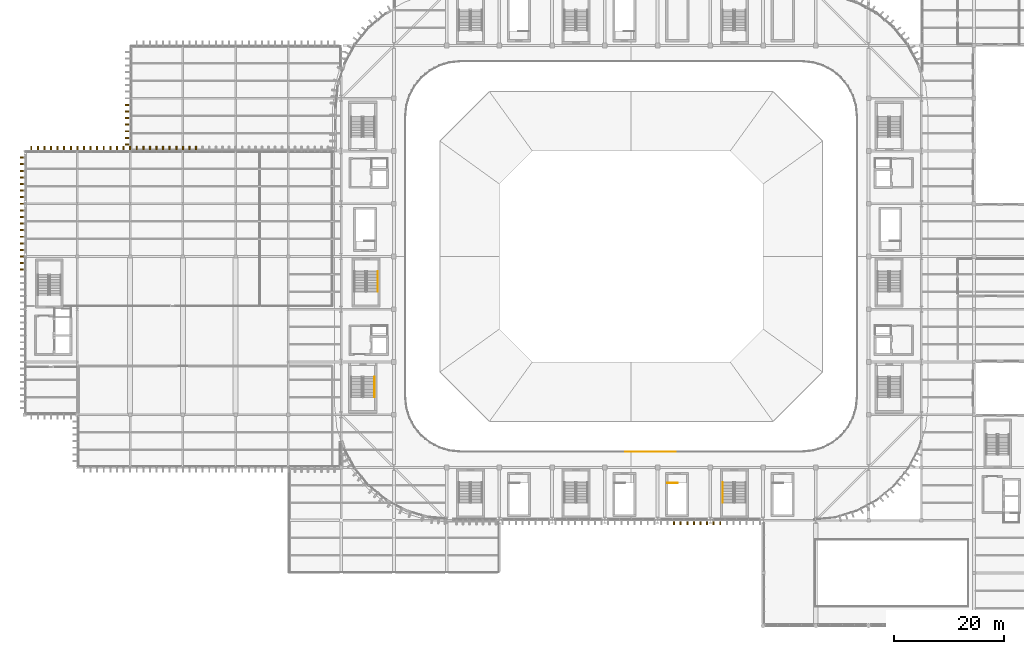
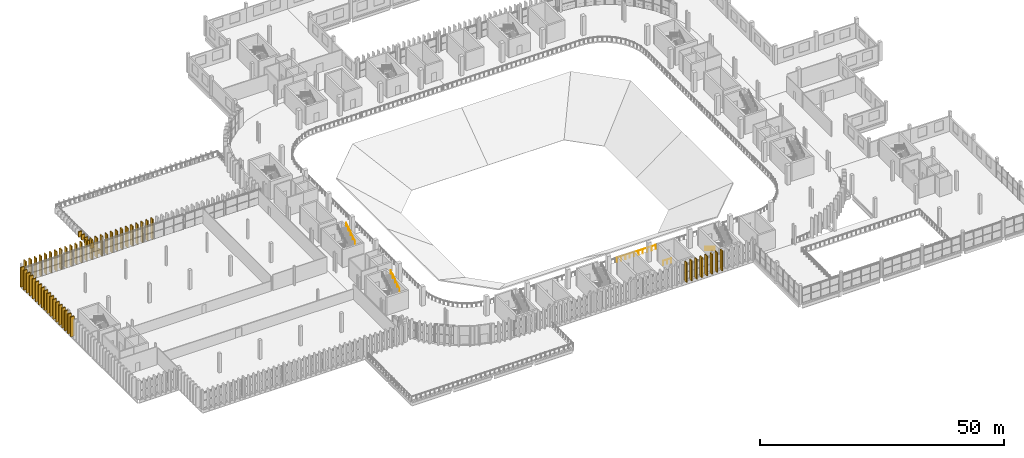
# One storey, part 83 of 99: 59 coverings, 5 railings.
"""IFC4 building model written with IfcOpenShell, lengths in metres."""

from ifc_helpers import new_model, si_unit, direction, frame, origin, origin_2d, place, context, subcontext, project, spatial, rectangle, circle, extrude, material, material_profile, profile_set, type_object, element, save


model = new_model("IFC4")

# Units and contexts
model_context = context("Model", 3, precision=1e-05, world=origin(), true_north=direction((0.0, 1.0)))
body_context = subcontext(model_context, "Body", "Model", "MODEL_VIEW")
ifc_project = project(units=[si_unit("LENGTHUNIT", "METRE"), si_unit("AREAUNIT", "SQUARE_METRE"), si_unit("VOLUMEUNIT", "CUBIC_METRE"), si_unit("PLANEANGLEUNIT", "RADIAN"), si_unit("MASSUNIT", "GRAM", prefix="KILO")], contexts=[model_context])

# Site, building, storey
site_placement = place(None, origin())
site = spatial("IfcSite", under=ifc_project, at=site_placement, CompositionType="ELEMENT")
building_placement = place(site_placement, origin())
building = spatial("IfcBuilding", under=site, at=building_placement, Name="Caelomonte Colonnade Arena", CompositionType="ELEMENT")
storey_placement = place(building_placement, frame((0.0, 0.0, 4.800048828125)))
storey = spatial("IfcBuildingStorey", under=building, at=storey_placement, Name="L01", CompositionType="ELEMENT", Elevation=4.800048828125)

# Coverings
ifc_material_1 = material(Name="Precast travertine cladding", Category="masonry")
ifc_material_profile = material_profile(ifc_material_1, rectangle(XDim=0.260009765625, YDim=0.85009765625, at=origin_2d()), Name="FIN260X850")
ifc_profile_set = profile_set([ifc_material_profile], Name="Precast travertine cladding")
covering_type = type_object("IfcCoveringType", Name="ENV-FN-SHAFT", PredefinedType="CLADDING", material=ifc_profile_set)
for number, where, z_axis, x_axis, name in (
    (1, (118.199951171875, 18.779052734375, -0.16015625), (0.0, 0.0, 1.0), (-1.0, 0.0, 0.0), "V1 L01 classical travertine vertical fin 272"),
    (2, (119.39990234375, 18.779052734375, -0.16015625), (0.0, 0.0, 1.0), (-1.0, 0.0, 0.0), "V1 L01 classical travertine vertical fin 273"),
    (3, (120.60009765625, 18.779052734375, -0.16015625), (0.0, 0.0, 1.0), (-1.0, 0.0, 0.0), "V1 L01 classical travertine vertical fin 274"),
    (4, (121.800048828125, 18.779052734375, -0.16015625), (0.0, 0.0, 1.0), (-1.0, 0.0, 0.0), "V1 L01 classical travertine vertical fin 275"),
    (5, (123.0, 18.779052734375, -0.16015625), (0.0, 0.0, 1.0), (-1.0, 0.0, 0.0), "V1 L01 classical travertine vertical fin 276"),
    (6, (124.199951171875, 18.779052734375, -0.16015625), (0.0, 0.0, 1.0), (-1.0, 0.0, 0.0), "V1 L01 classical travertine vertical fin 277"),
    (7, (125.39990234375, 18.779052734375, -0.16015625), (0.0, 0.0, 1.0), (-1.0, 0.0, 0.0), "V1 L01 classical travertine vertical fin 278"),
    (8, (126.60009765625, 18.779052734375, -0.16015625), (0.0, 0.0, 1.0), (-1.0, 0.0, 0.0), "V1 L01 classical travertine vertical fin 279"),
    (9, (-0.4208984375, 85.199951171875, -0.16015625), (0.0, 0.0, 1.0), (0.0, 1.0, 0.0), "V5 L01 classical travertine vertical fin 1"),
    (10, (-0.4208984375, 84.0, -0.16015625), (0.0, 0.0, 1.0), (0.0, 1.0, 0.0), "V5 L01 classical travertine vertical fin 2"),
    (11, (-0.4208984375, 82.800048828125, -0.16015625), (0.0, 0.0, 1.0), (0.0, 1.0, 0.0), "V5 L01 classical travertine vertical fin 3"),
    (12, (-0.4208984375, 81.60009765625, -0.16015625), (0.0, 0.0, 1.0), (0.0, 1.0, 0.0), "V5 L01 classical travertine vertical fin 4"),
    (13, (-0.4208984375, 80.39990234375, -0.16015625), (0.0, 0.0, 1.0), (0.0, 1.0, 0.0), "V5 L01 classical travertine vertical fin 5"),
    (14, (-0.4208984375, 79.199951171875, -0.16015625), (0.0, 0.0, 1.0), (0.0, 1.0, 0.0), "V5 L01 classical travertine vertical fin 6"),
    (15, (-0.4208984375, 78.0, -0.16015625), (0.0, 0.0, 1.0), (0.0, 1.0, 0.0), "V5 L01 classical travertine vertical fin 7"),
    (16, (-0.4208984375, 76.800048828125, -0.16015625), (0.0, 0.0, 1.0), (0.0, 1.0, 0.0), "V5 L01 classical travertine vertical fin 8"),
    (17, (-0.4208984375, 75.60009765625, -0.16015625), (0.0, 0.0, 1.0), (0.0, 1.0, 0.0), "V5 L01 classical travertine vertical fin 9"),
    (18, (-0.4208984375, 74.39990234375, -0.16015625), (0.0, 0.0, 1.0), (0.0, 1.0, 0.0), "V5 L01 classical travertine vertical fin 10"),
    (19, (-0.4208984375, 73.199951171875, -0.16015625), (0.0, 0.0, 1.0), (0.0, 1.0, 0.0), "V5 L01 classical travertine vertical fin 11"),
    (20, (-0.4208984375, 72.0, -0.16015625), (0.0, 0.0, 1.0), (0.0, 1.0, 0.0), "V5 L01 classical travertine vertical fin 12"),
    (21, (-0.4208984375, 70.800048828125, -0.16015625), (0.0, 0.0, 1.0), (0.0, 1.0, 0.0), "V5 L01 classical travertine vertical fin 13"),
    (22, (-0.4208984375, 69.60009765625, -0.16015625), (0.0, 0.0, 1.0), (0.0, 1.0, 0.0), "V5 L01 classical travertine vertical fin 14"),
    (23, (-0.4208984375, 68.39990234375, -0.16015625), (0.0, 0.0, 1.0), (0.0, 1.0, 0.0), "V5 L01 classical travertine vertical fin 15"),
    (24, (-0.4208984375, 67.199951171875, -0.16015625), (0.0, 0.0, 1.0), (0.0, 1.0, 0.0), "V5 L01 classical travertine vertical fin 16"),
    (25, (-0.4208984375, 66.0, -0.16015625), (0.0, 0.0, 1.0), (0.0, 1.0, 0.0), "V5 L01 classical travertine vertical fin 17"),
    (26, (-0.4208984375, 64.800048828125, -0.16015625), (0.0, 0.0, 1.0), (0.0, 1.0, 0.0), "V5 L01 classical travertine vertical fin 18"),
    (27, (31.199951171875, 86.821044921875, -0.16015625), (0.0, 0.0, 1.0), (1.0, 0.0, 0.0), "V5 L01 classical travertine vertical fin 116"),
    (28, (30.0, 86.821044921875, -0.16015625), (0.0, 0.0, 1.0), (1.0, 0.0, 0.0), "V5 L01 classical travertine vertical fin 117"),
    (29, (28.800048828125, 86.821044921875, -0.16015625), (0.0, 0.0, 1.0), (1.0, 0.0, 0.0), "V5 L01 classical travertine vertical fin 118"),
    (30, (27.60009765625, 86.821044921875, -0.16015625), (0.0, 0.0, 1.0), (1.0, 0.0, 0.0), "V5 L01 classical travertine vertical fin 119"),
    (31, (26.39990234375, 86.821044921875, -0.16015625), (0.0, 0.0, 1.0), (1.0, 0.0, 0.0), "V5 L01 classical travertine vertical fin 120"),
    (32, (25.199951171875, 86.821044921875, -0.16015625), (0.0, 0.0, 1.0), (1.0, 0.0, 0.0), "V5 L01 classical travertine vertical fin 121"),
    (33, (24.0, 86.821044921875, -0.16015625), (0.0, 0.0, 1.0), (1.0, 0.0, 0.0), "V5 L01 classical travertine vertical fin 122"),
    (34, (22.800048828125, 86.821044921875, -0.16015625), (0.0, 0.0, 1.0), (1.0, 0.0, 0.0), "V5 L01 classical travertine vertical fin 123"),
    (35, (21.60009765625, 86.821044921875, -0.16015625), (0.0, 0.0, 1.0), (1.0, 0.0, 0.0), "V5 L01 classical travertine vertical fin 124"),
    (36, (20.39990234375, 86.821044921875, -0.16015625), (0.0, 0.0, 1.0), (1.0, 0.0, 0.0), "V5 L01 classical travertine vertical fin 125"),
    (37, (19.199951171875, 86.821044921875, -0.16015625), (0.0, 0.0, 1.0), (1.0, 0.0, 0.0), "V5 L01 classical travertine vertical fin 126"),
    (38, (18.0, 86.821044921875, -0.16015625), (0.0, 0.0, 1.0), (1.0, 0.0, 0.0), "V5 L01 classical travertine vertical fin 127"),
    (39, (16.800048828125, 86.821044921875, -0.16015625), (0.0, 0.0, 1.0), (1.0, 0.0, 0.0), "V5 L01 classical travertine vertical fin 128"),
    (40, (15.60009765625, 86.821044921875, -0.16015625), (0.0, 0.0, 1.0), (1.0, 0.0, 0.0), "V5 L01 classical travertine vertical fin 129"),
    (41, (14.39990234375, 86.821044921875, -0.16015625), (0.0, 0.0, 1.0), (1.0, 0.0, 0.0), "V5 L01 classical travertine vertical fin 130"),
    (42, (13.199951171875, 86.821044921875, -0.16015625), (0.0, 0.0, 1.0), (1.0, 0.0, 0.0), "V5 L01 classical travertine vertical fin 131"),
    (43, (12.0, 86.821044921875, -0.16015625), (0.0, 0.0, 1.0), (1.0, 0.0, 0.0), "V5 L01 classical travertine vertical fin 132"),
    (44, (10.800048828125, 86.821044921875, -0.16015625), (0.0, 0.0, 1.0), (1.0, 0.0, 0.0), "V5 L01 classical travertine vertical fin 133"),
    (45, (9.60009765625, 86.821044921875, -0.16015625), (0.0, 0.0, 1.0), (1.0, 0.0, 0.0), "V5 L01 classical travertine vertical fin 134"),
    (46, (8.39990234375, 86.821044921875, -0.16015625), (0.0, 0.0, 1.0), (1.0, 0.0, 0.0), "V5 L01 classical travertine vertical fin 135"),
    (47, (7.199951171875, 86.821044921875, -0.16015625), (0.0, 0.0, 1.0), (1.0, 0.0, 0.0), "V5 L01 classical travertine vertical fin 136"),
    (48, (6.0, 86.821044921875, -0.16015625), (0.0, 0.0, 1.0), (1.0, 0.0, 0.0), "V5 L01 classical travertine vertical fin 137"),
    (49, (4.800048828125, 86.821044921875, -0.16015625), (0.0, 0.0, 1.0), (1.0, 0.0, 0.0), "V5 L01 classical travertine vertical fin 138"),
    (50, (3.60009765625, 86.821044921875, -0.16015625), (0.0, 0.0, 1.0), (1.0, 0.0, 0.0), "V5 L01 classical travertine vertical fin 139"),
    (51, (2.39990234375, 86.821044921875, -0.16015625), (0.0, 0.0, 1.0), (1.0, 0.0, 0.0), "V5 L01 classical travertine vertical fin 140"),
    (52, (1.199951171875, 86.821044921875, -0.16015625), (0.0, 0.0, 1.0), (1.0, 0.0, 0.0), "V5 L01 classical travertine vertical fin 141"),
):
    element("IfcCovering", number, at=place(storey_placement, frame(where, z_axis=z_axis, x_axis=x_axis)), inside=storey, type_object=covering_type, Name=name, PredefinedType="CLADDING", context=body_context, shape_type="SweptSolid", body=[
        extrude(rectangle(XDim=0.260009765625, YDim=0.85009765625, at=origin_2d()), origin(), (0.0, 0.0, 1.0), 4.960205078125),
    ])
for number, where, z_axis, x_axis, name in (
    (53, (18.779052734375, 94.800048828125, -0.16015625), (0.0, 0.0, 1.0), (0.0, 1.0, 0.0), "V5D L01 classical travertine vertical fin 43"),
    (54, (18.779052734375, 93.60009765625, -0.16015625), (0.0, 0.0, 1.0), (0.0, 1.0, 0.0), "V5D L01 classical travertine vertical fin 44"),
    (55, (18.779052734375, 92.39990234375, -0.16015625), (0.0, 0.0, 1.0), (0.0, 1.0, 0.0), "V5D L01 classical travertine vertical fin 45"),
    (56, (18.779052734375, 91.199951171875, -0.16015625), (0.0, 0.0, 1.0), (0.0, 1.0, 0.0), "V5D L01 classical travertine vertical fin 46"),
    (57, (18.779052734375, 90.0, -0.16015625), (0.0, 0.0, 1.0), (0.0, 1.0, 0.0), "V5D L01 classical travertine vertical fin 47"),
    (58, (18.779052734375, 88.800048828125, -0.16015625), (0.0, 0.0, 1.0), (0.0, 1.0, 0.0), "V5D L01 classical travertine vertical fin 48"),
    (59, (18.779052734375, 87.60009765625, -0.16015625), (0.0, 0.0, 1.0), (0.0, 1.0, 0.0), "V5D L01 classical travertine vertical fin 49"),
):
    element("IfcCovering", number, at=place(storey_placement, frame(where, z_axis=z_axis, x_axis=x_axis)), inside=storey, type_object=covering_type, Name=name, PredefinedType="CLADDING", context=body_context, shape_type="SweptSolid", body=[
        extrude(rectangle(XDim=0.260009765625, YDim=0.85009765625, at=origin_2d()), origin(), (0.0, 0.0, 1.0), 1.31005859375),
    ])

# Railings
ifc_material_2 = material(Name="Painted galvanized steel handrail and posts", Category="steel")
railing_type_1 = type_object("IfcRailingType", Name="ENV-RL-GRD1", PredefinedType="GUARDRAIL", material=ifc_material_2)
railing_1_placement = place(storey_placement, frame((109.306884765625, 31.679931640625, 0.0)))
element("IfcRailing", 60, at=railing_1_placement, inside=storey, type_object=railing_type_1, Name="L01 lower concourse bowl guard 5", PredefinedType="GUARDRAIL", context=body_context, shape_type="SweptSolid", body=[
    extrude(circle(Radius=0.02392578125, at=origin_2d()), frame((0.0, 0.0, 1.076171875), z_axis=(1.0, 0.0, 0.0), x_axis=(0.0, 1.0, 0.0)), (0.0, 0.0, 1.0), 9.186279296875),
    extrude(circle(Radius=0.02099609375, at=origin_2d()), origin(), (0.0, 0.0, 1.0), 1.048095703125),
    extrude(circle(Radius=0.02099609375, at=origin_2d()), frame((1.020751953125, 0.0, 0.0)), (0.0, 0.0, 1.0), 1.048095703125),
    extrude(circle(Radius=0.02099609375, at=origin_2d()), frame((2.04150390625, 0.0, 0.0)), (0.0, 0.0, 1.0), 1.048095703125),
    extrude(circle(Radius=0.02099609375, at=origin_2d()), frame((3.06201171875, 0.0, 0.0)), (0.0, 0.0, 1.0), 1.048095703125),
    extrude(circle(Radius=0.02099609375, at=origin_2d()), frame((4.082763671875, 0.0, 0.0)), (0.0, 0.0, 1.0), 1.048095703125),
    extrude(circle(Radius=0.02099609375, at=origin_2d()), frame((5.103515625, 0.0, 0.0)), (0.0, 0.0, 1.0), 1.048095703125),
    extrude(circle(Radius=0.02099609375, at=origin_2d()), frame((6.124267578125, 0.0, 0.0)), (0.0, 0.0, 1.0), 1.048095703125),
    extrude(circle(Radius=0.02099609375, at=origin_2d()), frame((7.144775390625, 0.0, 0.0)), (0.0, 0.0, 1.0), 1.048095703125),
    extrude(circle(Radius=0.02099609375, at=origin_2d()), frame((8.16552734375, 0.0, 0.0)), (0.0, 0.0, 1.0), 1.048095703125),
    extrude(circle(Radius=0.02099609375, at=origin_2d()), frame((9.186279296875, 0.0, 0.0)), (0.0, 0.0, 1.0), 1.048095703125),
])
ifc_material_3 = material(Name="Painted galvanized steel stair guard", Category="steel")
railing_type_2 = type_object("IfcRailingType", Name="INT-RL-GRD", PredefinedType="GUARDRAIL", material=ifc_material_3)
railing_2_placement = place(storey_placement, frame((117.0, 26.0, 0.0)))
element("IfcRailing", 61, at=railing_2_placement, inside=storey, type_object=railing_type_2, Name="L01 ST-V03 top well guard 1", PredefinedType="GUARDRAIL", context=body_context, shape_type="SweptSolid", body=[
    extrude(circle(Radius=0.02392578125, at=origin_2d()), frame((0.0, 0.0, 1.076171875), z_axis=(1.0, 0.0, 0.0), x_axis=(0.0, 1.0, 0.0)), (0.0, 0.0, 1.0), 1.85009765625),
    extrude(circle(Radius=0.02099609375, at=origin_2d()), origin(), (0.0, 0.0, 1.0), 1.048095703125),
    extrude(circle(Radius=0.02099609375, at=origin_2d()), frame((0.925048828125, 0.0, 0.0)), (0.0, 0.0, 1.0), 1.048095703125),
    extrude(circle(Radius=0.02099609375, at=origin_2d()), frame((1.85009765625, 0.0, 0.0)), (0.0, 0.0, 1.0), 1.048095703125),
])
ifc_material_4 = material(Name="Brushed stainless steel stair handrail", Category="steel")
railing_type_3 = type_object("IfcRailingType", Name="INT-RL-HR", PredefinedType="HANDRAIL", material=ifc_material_4)
for number, where, name in (
    (62, (63.64990234375, 41.594970703125, 2.5712890625), "L01 ST-01 stair handrail 2"),
    (63, (64.25, 60.794921875, 2.5712890625), "L01 ST-09 stair handrail 2"),
):
    element("IfcRailing", number, at=place(storey_placement, frame(where)), inside=storey, type_object=railing_type_3, Name=name, PredefinedType="HANDRAIL", context=body_context, shape_type="SweptSolid", body=[
        extrude(circle(Radius=0.02392578125, at=origin_2d()), frame((0.0, 0.0, 0.8759765625), z_axis=(0.0, 0.856909459561, 0.515466951525), x_axis=(-1.0, 0.0, 0.0)), (0.0, 0.0, 1.0), 4.32373046875),
        extrude(circle(Radius=0.02099609375, at=origin_2d()), origin(), (0.0, 0.0, 1.0), 0.847900390625),
        extrude(circle(Radius=0.02099609375, at=origin_2d()), frame((0.0, 0.92626953125, 0.55712890625)), (0.0, 0.0, 1.0), 0.847900390625),
        extrude(circle(Radius=0.02099609375, at=origin_2d()), frame((0.0, 1.8525390625, 1.1142578125)), (0.0, 0.0, 1.0), 0.847900390625),
        extrude(circle(Radius=0.02099609375, at=origin_2d()), frame((0.0, 2.77880859375, 1.671630859375)), (0.0, 0.0, 1.0), 0.847900390625),
        extrude(circle(Radius=0.02099609375, at=origin_2d()), frame((0.0, 3.705078125, 2.228759765625)), (0.0, 0.0, 1.0), 0.847900390625),
    ])
railing_3_placement = place(storey_placement, frame((127.050048828125, 26.10009765625, 0.17138671875)))
element("IfcRailing", 64, at=railing_3_placement, inside=storey, type_object=railing_type_3, Name="L01 ST-13 stair handrail 1", PredefinedType="HANDRAIL", context=body_context, shape_type="SweptSolid", body=[
    extrude(circle(Radius=0.02392578125, at=origin_2d()), frame((0.0, 0.0, 0.8759765625), z_axis=(0.0, -0.856934400257, 0.515425487977), x_axis=(1.0, 0.0, 0.0)), (0.0, 0.0, 1.0), 4.32373046875),
    extrude(circle(Radius=0.02099609375, at=origin_2d()), origin(), (0.0, 0.0, 1.0), 0.847900390625),
    extrude(circle(Radius=0.02099609375, at=origin_2d()), frame((0.0, -0.92626953125, 0.55712890625)), (0.0, 0.0, 1.0), 0.847900390625),
    extrude(circle(Radius=0.02099609375, at=origin_2d()), frame((0.0, -1.8525390625, 1.1142578125)), (0.0, 0.0, 1.0), 0.847900390625),
    extrude(circle(Radius=0.02099609375, at=origin_2d()), frame((0.0, -2.77880859375, 1.67138671875)), (0.0, 0.0, 1.0), 0.847900390625),
    extrude(circle(Radius=0.02099609375, at=origin_2d()), frame((0.0, -3.705078125, 2.228515625)), (0.0, 0.0, 1.0), 0.847900390625),
])

save(model, "model.ifc")
